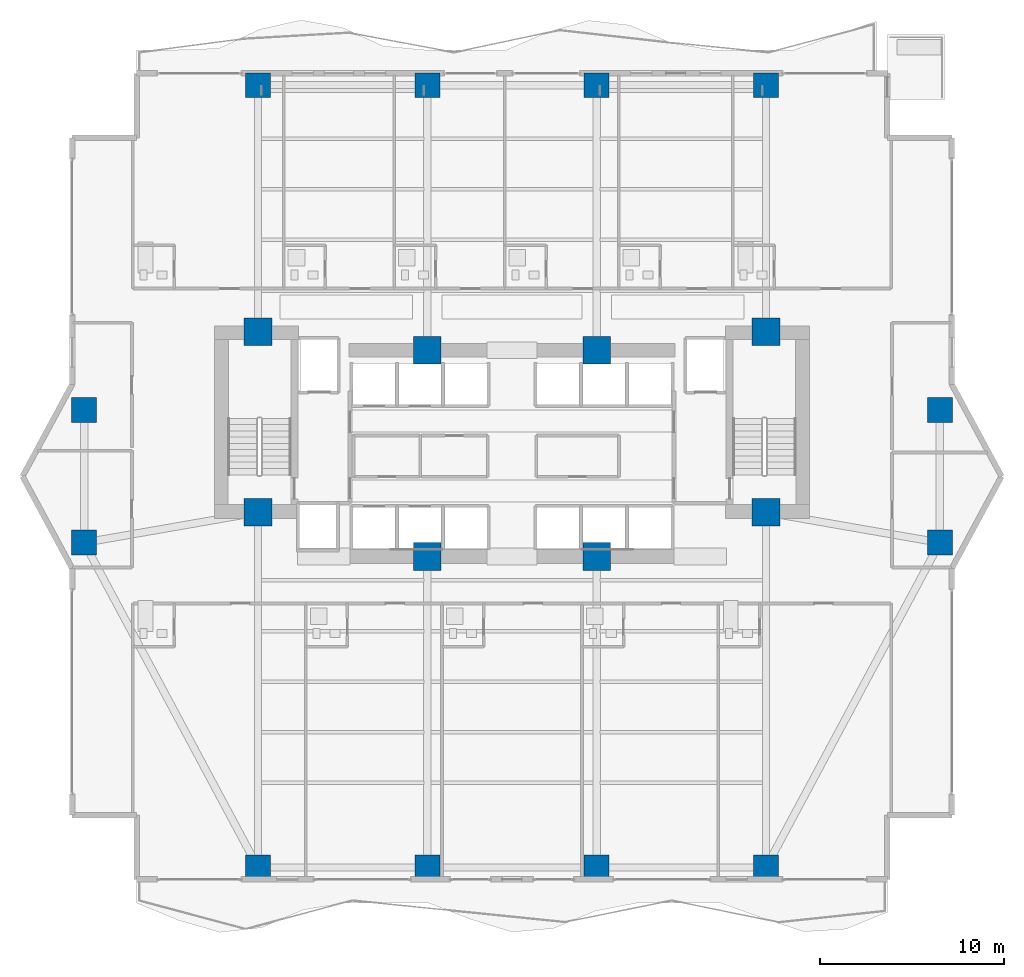
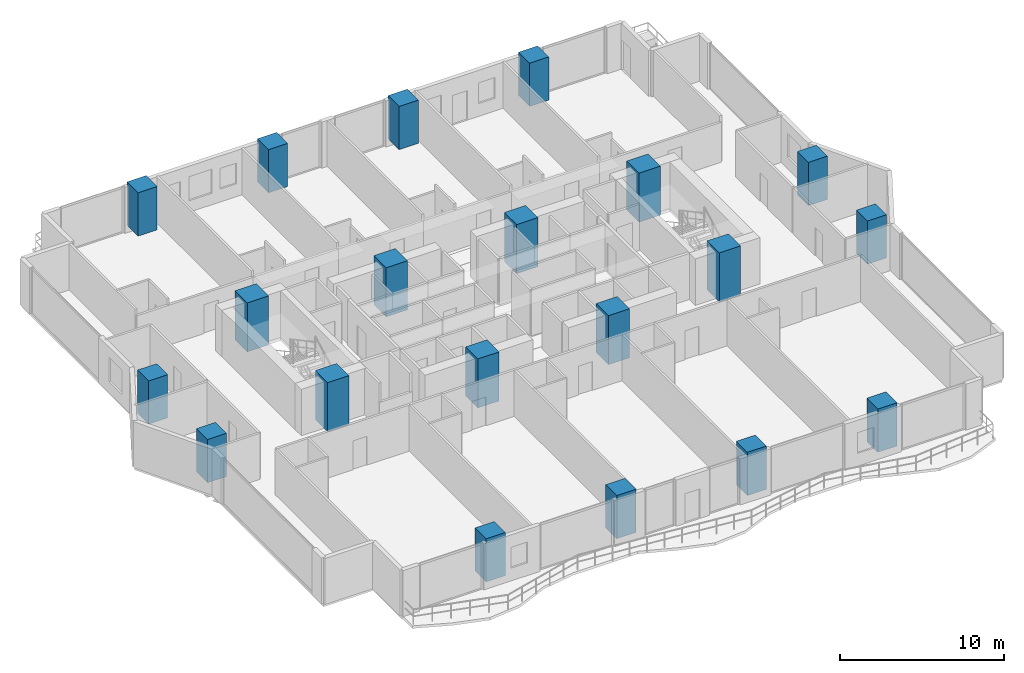
# One storey, part 1 of 29: 20 columns.
"""IFC4 building model written with IfcOpenShell, lengths in metres."""

from ifc_helpers import new_model, si_unit, direction, frame, origin, origin_2d, place, context, subcontext, project, spatial, rectangle, extrude, material, material_profile, profile_set, type_object, element, save


model = new_model("IFC4")

# Units and contexts
model_context = context("Model", 3, precision=1e-05, world=origin(), true_north=direction((0.0, 1.0)))
body_context = subcontext(model_context, "Body", "Model", "MODEL_VIEW")
ifc_project = project(units=[si_unit("LENGTHUNIT", "METRE"), si_unit("AREAUNIT", "SQUARE_METRE"), si_unit("VOLUMEUNIT", "CUBIC_METRE"), si_unit("PLANEANGLEUNIT", "RADIAN"), si_unit("MASSUNIT", "GRAM", prefix="KILO")], contexts=[model_context])

# Site, building, storey
site_placement = place(None, origin())
site = spatial("IfcSite", under=ifc_project, at=site_placement, CompositionType="ELEMENT")
building_placement = place(site_placement, origin())
building = spatial("IfcBuilding", under=site, at=building_placement, Name="Zuhayl Quay Hotel", CompositionType="ELEMENT")
storey_placement = place(building_placement, frame((0.0, 0.0, 95.64990234375)))
storey = spatial("IfcBuildingStorey", under=building, at=storey_placement, Name="L23", CompositionType="ELEMENT", Elevation=95.64990234375)

# Columns
ifc_material = material(Name="Concrete C70/85", Category="concrete")
ifc_material_profile_1 = material_profile(ifc_material, rectangle(XDim=1.5, YDim=1.5, at=origin_2d()), Name="RC1500X1500")
ifc_profile_set_1 = profile_set([ifc_material_profile_1], Name="Concrete C70/85")
column_type_1 = type_object("IfcColumnType", Name="CL_CC1_1500", PredefinedType="COLUMN", material=ifc_profile_set_1)
for number, where, z_axis, x_axis, name in (
    (1, (-13.800048828125, 14.35009765625, 0.0), (0.0, 0.0, 1.0), (1.0, 0.0, 0.0), "L23 Core Column CC_NW"),
    (2, (-4.60009765625, 13.35009765625, 0.0), (0.0, 0.0, 1.0), (1.0, 0.0, 0.0), "L23 Core Column CC_CNW"),
    (3, (4.60009765625, 13.35009765625, 0.0), (0.0, 0.0, 1.0), (1.0, 0.0, 0.0), "L23 Core Column CC_CNE"),
    (4, (13.800048828125, 14.35009765625, 0.0), (0.0, 0.0, 1.0), (1.0, 0.0, 0.0), "L23 Core Column CC_NE"),
    (5, (-13.800048828125, 4.550048828125, 0.0), (0.0, 0.0, 1.0), (1.0, 0.0, 0.0), "L23 Core Column CC_SW"),
    (6, (-4.60009765625, 2.14990234375, 0.0), (0.0, 0.0, 1.0), (1.0, 0.0, 0.0), "L23 Core Column CC_CSW"),
    (7, (4.60009765625, 2.14990234375, 0.0), (0.0, 0.0, 1.0), (1.0, 0.0, 0.0), "L23 Core Column CC_CSE"),
    (8, (13.800048828125, 4.550048828125, 0.0), (0.0, 0.0, 1.0), (1.0, 0.0, 0.0), "L23 Core Column CC_SE"),
):
    element("IfcColumn", number, at=place(storey_placement, frame(where, z_axis=z_axis, x_axis=x_axis)), inside=storey, type_object=column_type_1, Name=name, PredefinedType="COLUMN", context=body_context, shape_type="SweptSolid", body=[
        extrude(rectangle(XDim=1.5, YDim=1.5, at=origin_2d()), origin(), (0.0, 0.0, 1.0), 3.650146484375),
    ])
ifc_material_profile_2 = material_profile(ifc_material, rectangle(XDim=1.35009765625, YDim=1.35009765625, at=origin_2d()), Name="RC1350X1350")
ifc_profile_set_2 = profile_set([ifc_material_profile_2], Name="Concrete C70/85")
column_type_2 = type_object("IfcColumnType", Name="CL_MC2_1350", PredefinedType="COLUMN", material=ifc_profile_set_2)
for number, where, z_axis, x_axis, name in (
    (9, (-13.800048828125, -14.75, 0.43017578125), (0.0, 0.0, 1.0), (1.0, 0.0, 0.0), "L23 Mega-Column MC_S1"),
    (10, (-4.60009765625, -14.75, 0.43017578125), (0.0, 0.0, 1.0), (1.0, 0.0, 0.0), "L23 Mega-Column MC_S2"),
    (11, (4.60009765625, -14.75, 0.43017578125), (0.0, 0.0, 1.0), (1.0, 0.0, 0.0), "L23 Mega-Column MC_S3"),
    (12, (13.800048828125, -14.75, 0.43017578125), (0.0, 0.0, 1.0), (1.0, 0.0, 0.0), "L23 Mega-Column MC_S4"),
    (13, (-13.800048828125, 27.75, 0.43017578125), (0.0, 0.0, 1.0), (1.0, 0.0, 0.0), "L23 Mega-Column MC_N1"),
    (14, (-4.60009765625, 27.75, 0.43017578125), (0.0, 0.0, 1.0), (1.0, 0.0, 0.0), "L23 Mega-Column MC_N2"),
    (15, (4.60009765625, 27.75, 0.43017578125), (0.0, 0.0, 1.0), (1.0, 0.0, 0.0), "L23 Mega-Column MC_N3"),
    (16, (13.800048828125, 27.75, 0.43017578125), (0.0, 0.0, 1.0), (1.0, 0.0, 0.0), "L23 Mega-Column MC_N4"),
    (17, (-23.25, 2.89990234375, 0.43017578125), (0.0, 0.0, 1.0), (1.0, 0.0, 0.0), "L23 Mega-Column MC_W1"),
    (18, (-23.25, 10.10009765625, 0.43017578125), (0.0, 0.0, 1.0), (1.0, 0.0, 0.0), "L23 Mega-Column MC_W2"),
    (19, (23.25, 2.89990234375, 0.43017578125), (0.0, 0.0, 1.0), (1.0, 0.0, 0.0), "L23 Mega-Column MC_E1"),
    (20, (23.25, 10.10009765625, 0.43017578125), (0.0, 0.0, 1.0), (1.0, 0.0, 0.0), "L23 Mega-Column MC_E2"),
):
    element("IfcColumn", number, at=place(storey_placement, frame(where, z_axis=z_axis, x_axis=x_axis)), inside=storey, type_object=column_type_2, Name=name, PredefinedType="COLUMN", context=body_context, shape_type="SweptSolid", body=[
        extrude(rectangle(XDim=1.35009765625, YDim=1.35009765625, at=origin_2d()), origin(), (0.0, 0.0, 1.0), 3.219970703125),
    ])

save(model, "model.ifc")
